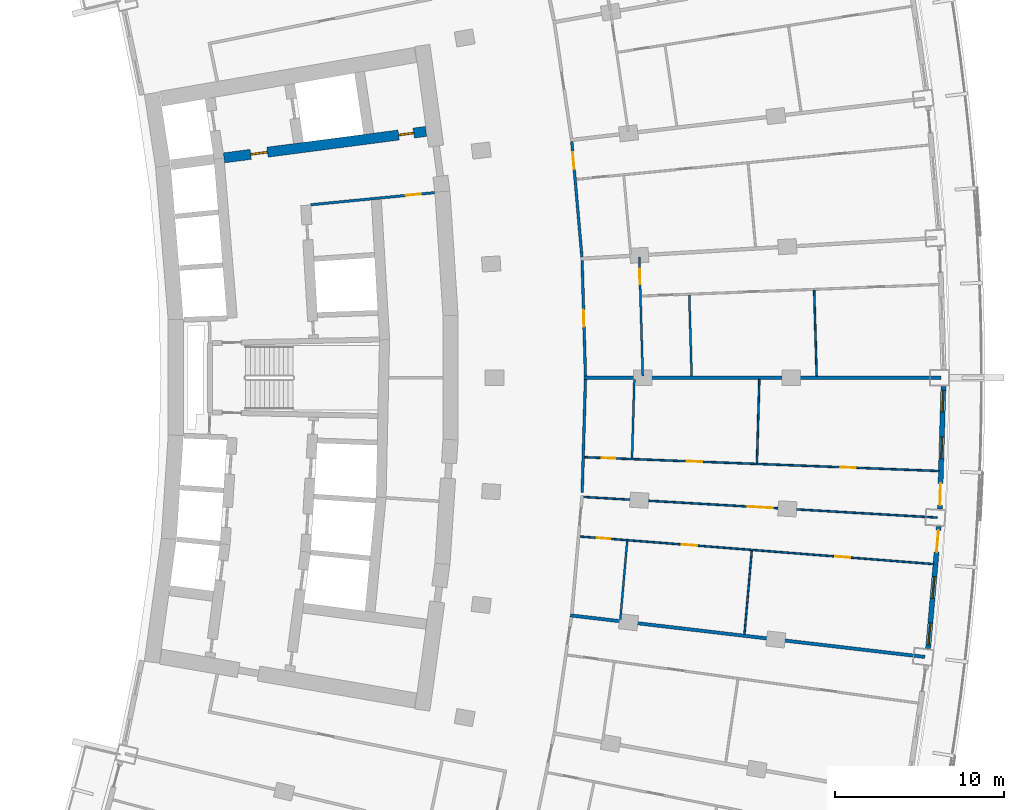
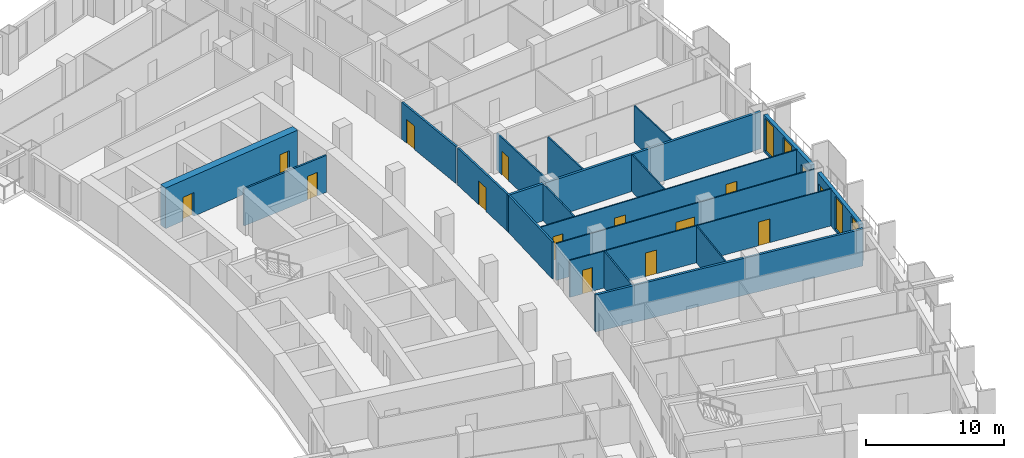
# One storey, part 15 of 23: 19 walls, 15 doors, 4 windows, 19 openings.
"""IFC4 building model written with IfcOpenShell, lengths in metres."""

from ifc_helpers import new_model, si_unit, direction, frame, frame_2d, origin, place, context, subcontext, project, spatial, rectangle, extrude, material, layer, layer_set, type_object, element, fill, save


model = new_model("IFC4")

# Units and contexts
model_context = context("Model", 3, precision=1e-05, world=origin(), true_north=direction((0.0, 1.0)))
body_context = subcontext(model_context, "Body", "Model", "MODEL_VIEW")
ifc_project = project(units=[si_unit("LENGTHUNIT", "METRE"), si_unit("AREAUNIT", "SQUARE_METRE"), si_unit("VOLUMEUNIT", "CUBIC_METRE"), si_unit("PLANEANGLEUNIT", "RADIAN"), si_unit("MASSUNIT", "GRAM", prefix="KILO")], contexts=[model_context])

# Site, building, storey
site_placement = place(None, origin())
site = spatial("IfcSite", under=ifc_project, at=site_placement, CompositionType="ELEMENT")
building_placement = place(site_placement, origin())
building = spatial("IfcBuilding", under=site, at=building_placement, Name="Alderwake Tower", CompositionType="ELEMENT")
storey_placement = place(building_placement, frame((0.0, 0.0, 71.60009765625)))
storey = spatial("IfcBuildingStorey", under=building, at=storey_placement, Name="L17", CompositionType="ELEMENT", Elevation=71.60009765625)

# Wall, opening, door
ifc_material_1 = material(Name="Gypsum shaft wall system, rated")
ifc_layer_1 = layer(ifc_material_1, 0.14990234375)
ifc_layer_set_1 = layer_set([ifc_layer_1], Name="Core room partition 150")
wall_type_1 = type_object("IfcWallType", Name="Core room partition 150", PredefinedType="PARTITIONING", material=ifc_layer_set_1)
wall_1_placement = place(storey_placement, frame((32.233642578125, 71.982177734375, 0.0), z_axis=(0.0, 0.0, 1.0), x_axis=(-0.995245540971, -0.097397706226, 0.0)))
wall_1 = element("IfcWall", 1, at=wall_1_placement, inside=storey, type_object=wall_type_1, Name="CW/L17/PR+102_+86", PredefinedType="PARTITIONING", context=body_context, shape_type="SweptSolid", body=[
    extrude(rectangle(XDim=7.36962890625, YDim=0.14990234375, at=frame_2d((3.684814453125, 0.0))), origin(), (0.0, 0.0, 1.0), 3.27978515625),
])
opening_1_placement = place(wall_1_placement, frame((0.819580078125, 0.0, 0.0)))
opening_1 = element("IfcOpeningElement", 2, at=opening_1_placement, cuts=wall_1, Name="Opening C032", PredefinedType="OPENING", context=body_context, shape_type="SweptSolid", body=[
    extrude(rectangle(XDim=0.89990234375, YDim=2.10009765625, at=frame_2d((0.449951171875, 1.050048828125))), frame((0.0, 0.0849609375, 0.0), z_axis=(0.0, -1.0, 0.0), x_axis=(1.0, 0.0, 0.0)), (0.0, 0.0, 1.0), 0.169921875),
])
ifc_material_2 = material(Name="Painted steel leaf", Category="steel")
door_type_1 = type_object("IfcDoorType", Name="Core room door 900", OperationType="SINGLE_SWING_LEFT", PredefinedType="DOOR", material=ifc_material_2)
door_1_placement = place(opening_1_placement, origin())
door_1 = element("IfcDoor", 3, at=door_1_placement, inside=storey, type_object=door_type_1, Name="Room door", OperationType="SINGLE_SWING_RIGHT", OverallHeight=2.10009765625, OverallWidth=0.89990234375, PredefinedType="DOOR", context=body_context, shape_type="SweptSolid", body=[
    extrude(rectangle(XDim=0.89990234375, YDim=2.10009765625, at=frame_2d((0.449951171875, 1.050048828125))), frame((0.0, 0.02490234375, 0.0), z_axis=(0.0, -1.0, 0.0), x_axis=(1.0, 0.0, 0.0)), (0.0, 0.0, 1.0), 0.050048828125),
])
fill(opening_1, door_1)

# Wall, openings, doors
ifc_material_3 = material(Name="Concrete C70/85", Category="concrete")
ifc_layer_2 = layer(ifc_material_3, 0.60009765625)
ifc_layer_set_2 = layer_set([ifc_layer_2], Name="Core wall spine 600 C70-85")
wall_type_2 = type_object("IfcWallType", Name="Core wall spine 600 C70-85", PredefinedType="SHEAR", material=ifc_layer_set_2)
wall_2_placement = place(storey_placement, frame((31.735595703125, 75.6142578125, 0.0), z_axis=(0.0, 0.0, 1.0), x_axis=(-0.991553829991, -0.129695806526, 0.0)))
wall_2 = element("IfcWall", 4, at=wall_2_placement, inside=storey, type_object=wall_type_2, Name="Core wall CW.052", PredefinedType="SHEAR", context=body_context, shape_type="SweptSolid", body=[
    extrude(rectangle(XDim=12.0869140625, YDim=0.60009765625, at=frame_2d((6.04345703125, 0.0))), origin(), (0.0, 0.0, 1.0), 3.599853515625),
])
opening_2_placement = place(wall_2_placement, frame((9.4873046875, 0.0, 0.0)))
opening_2 = element("IfcOpeningElement", 5, at=opening_2_placement, cuts=wall_2, Name="Opening C002", PredefinedType="OPENING", context=body_context, shape_type="SweptSolid", body=[
    extrude(rectangle(XDim=1.0, YDim=2.10009765625, at=frame_2d((0.5, 1.050048828125))), frame((0.0, 0.31005859375, 0.0), z_axis=(0.0, -1.0, 0.0), x_axis=(1.0, 0.0, 0.0)), (0.0, 0.0, 1.0), 0.6201171875),
])
opening_3_placement = place(wall_2_placement, frame((0.7373046875, 0.0, 0.0)))
opening_3 = element("IfcOpeningElement", 6, at=opening_3_placement, cuts=wall_2, Name="Opening C020", PredefinedType="OPENING", context=body_context, shape_type="SweptSolid", body=[
    extrude(rectangle(XDim=0.89990234375, YDim=2.10009765625, at=frame_2d((0.449951171875, 1.050048828125))), frame((0.0, 0.31005859375, 0.0), z_axis=(0.0, -1.0, 0.0), x_axis=(1.0, 0.0, 0.0)), (0.0, 0.0, 1.0), 0.6201171875),
])
door_2_placement = place(opening_3_placement, origin())
door_2 = element("IfcDoor", 7, at=door_2_placement, inside=storey, type_object=door_type_1, Name="Room door", OperationType="SINGLE_SWING_LEFT", OverallHeight=2.10009765625, OverallWidth=0.89990234375, PredefinedType="DOOR", context=body_context, shape_type="SweptSolid", body=[
    extrude(rectangle(XDim=0.89990234375, YDim=2.10009765625, at=frame_2d((0.449951171875, 1.050048828125))), frame((0.0, 0.050048828125, 0.0), z_axis=(0.0, -1.0, 0.0), x_axis=(1.0, 0.0, 0.0)), (0.0, 0.0, 1.0), 0.10009765625),
])
fill(opening_3, door_2)
ifc_material_4 = material(Name="Steel-framed fire door leaf", Category="steel")
door_type_2 = type_object("IfcDoorType", Name="Firefighting lobby door 1000 fire-rated", OperationType="SINGLE_SWING_LEFT", PredefinedType="DOOR", material=ifc_material_4)
door_3_placement = place(opening_2_placement, origin())
door_3 = element("IfcDoor", 8, at=door_3_placement, inside=storey, type_object=door_type_2, Name="Firefighting lobby door", OperationType="SINGLE_SWING_RIGHT", OverallHeight=2.10009765625, OverallWidth=1.0, PredefinedType="DOOR", context=body_context, shape_type="SweptSolid", body=[
    extrude(rectangle(XDim=1.0, YDim=2.10009765625, at=frame_2d((0.5, 1.050048828125))), frame((0.0, 0.050048828125, 0.0), z_axis=(0.0, -1.0, 0.0), x_axis=(1.0, 0.0, 0.0)), (0.0, 0.0, 1.0), 0.10009765625),
])
fill(opening_2, door_3)

# Wall
ifc_material_5 = material(Name="Gypsum board on metal studs, rated")
ifc_layer_3 = layer(ifc_material_5, 0.159912109375)
ifc_layer_set_3 = layer_set([ifc_layer_3], Name="Corridor wall 160")
wall_type_3 = type_object("IfcWallType", Name="Corridor wall 160", PredefinedType="PARTITIONING", material=ifc_layer_set_3)
wall_3_placement = place(storey_placement, frame((41.002685546875, 54.20068359375, 0.0), z_axis=(0.0, 0.0, 1.0), x_axis=(0.028855161601, 0.999583603131, 0.0)))
element("IfcWall", 9, at=wall_3_placement, inside=storey, type_object=wall_type_3, Name="WL/L17/W40", PredefinedType="PARTITIONING", context=body_context, shape_type="SweptSolid", body=[
    extrude(rectangle(XDim=6.700927734375, YDim=0.159912109375, at=frame_2d((3.3505859375, 0.0))), origin(), (0.0, 0.0, 1.0), 3.27978515625),
])

# Wall, opening, door
wall_4_placement = place(storey_placement, frame((40.3857421875, 75.00830078125, 0.0), z_axis=(0.0, 0.0, 1.0), x_axis=(0.087448731147, -0.996169021512, 0.0)))
wall_4 = element("IfcWall", 10, at=wall_4_placement, inside=storey, type_object=wall_type_3, Name="WL/L17/W41", PredefinedType="PARTITIONING", context=body_context, shape_type="SweptSolid", body=[
    extrude(rectangle(XDim=6.867919921875, YDim=0.159912109375, at=frame_2d((3.43408203125, 0.0))), origin(), (0.0, 0.0, 1.0), 3.27978515625),
])
opening_4_placement = place(wall_4_placement, frame((0.628173828125, 0.0, 0.0)))
opening_4 = element("IfcOpeningElement", 11, at=opening_4_placement, cuts=wall_4, Name="Opening R04-U09.2", PredefinedType="OPENING", context=body_context, shape_type="SweptSolid", body=[
    extrude(rectangle(XDim=1.0, YDim=2.10009765625, at=frame_2d((0.5, 1.050048828125))), frame((0.0, 0.08984375, 0.0), z_axis=(0.0, -1.0, 0.0), x_axis=(1.0, 0.0, 0.0)), (0.0, 0.0, 1.0), 0.179931640625),
])
ifc_material_6 = material(Name="Solid timber leaf in steel frame", Category="steel")
door_type_3 = type_object("IfcDoorType", Name="Flat entrance door 1000 fire-rated", OperationType="SINGLE_SWING_LEFT", PredefinedType="DOOR", material=ifc_material_6)
door_4_placement = place(opening_4_placement, origin())
door_4 = element("IfcDoor", 12, at=door_4_placement, inside=storey, type_object=door_type_3, Name="DR/L17/U09.2", OperationType="SINGLE_SWING_LEFT", OverallHeight=2.10009765625, OverallWidth=1.0, PredefinedType="DOOR", context=body_context, shape_type="SweptSolid", body=[
    extrude(rectangle(XDim=1.0, YDim=2.10009765625, at=frame_2d((0.5, 1.050048828125))), frame((0.0, 0.02490234375, 0.0), z_axis=(0.0, -1.0, 0.0), x_axis=(1.0, 0.0, 0.0)), (0.0, 0.0, 1.0), 0.050048828125),
])
fill(opening_4, door_4)

wall_5_placement = place(storey_placement, frame((40.997802734375, 67.967041015625, 0.0), z_axis=(0.0, 0.0, 1.0), x_axis=(0.028852935833, -0.99958366738, 0.0)))
wall_5 = element("IfcWall", 13, at=wall_5_placement, inside=storey, type_object=wall_type_3, Name="WL/L17/W42", PredefinedType="PARTITIONING", context=body_context, shape_type="SweptSolid", body=[
    extrude(rectangle(XDim=6.870849609375, YDim=0.159912109375, at=frame_2d((3.435546875, 0.0))), origin(), (0.0, 0.0, 1.0), 3.27978515625),
])
opening_5_placement = place(wall_5_placement, frame((2.935302734375, 0.0, 0.0)))
opening_5 = element("IfcOpeningElement", 14, at=opening_5_placement, cuts=wall_5, Name="Opening R04-U08.2", PredefinedType="OPENING", context=body_context, shape_type="SweptSolid", body=[
    extrude(rectangle(XDim=1.0, YDim=2.10009765625, at=frame_2d((0.5, 1.050048828125))), frame((0.0, 0.08984375, 0.0), z_axis=(0.0, -1.0, 0.0), x_axis=(1.0, 0.0, 0.0)), (0.0, 0.0, 1.0), 0.179931640625),
])
door_5_placement = place(opening_5_placement, origin())
door_5 = element("IfcDoor", 15, at=door_5_placement, inside=storey, type_object=door_type_3, Name="DR/L17/U08.2", OperationType="SINGLE_SWING_LEFT", OverallHeight=2.10009765625, OverallWidth=1.0, PredefinedType="DOOR", context=body_context, shape_type="SweptSolid", body=[
    extrude(rectangle(XDim=1.0, YDim=2.10009765625, at=frame_2d((0.5, 1.050048828125))), frame((0.0, 0.02490234375, 0.0), z_axis=(0.0, -1.0, 0.0), x_axis=(1.0, 0.0, 0.0)), (0.0, 0.0, 1.0), 0.050048828125),
])
fill(opening_5, door_5)

# Wall, openings, door, windows
ifc_material_7 = material(Name="Precast concrete C50/60 spandrel panel", Category="concrete")
ifc_layer_4 = layer(ifc_material_7, 0.300048828125)
ifc_layer_set_4 = layer_set([ifc_layer_4], Name="External wall EW1 Precast concrete C50/60 spandrel")
wall_type_4 = type_object("IfcWallType", Name="External wall EW1 Precast concrete C50/60 spandrel", PredefinedType="SOLIDWALL", material=ifc_layer_set_4)
wall_6_placement = place(storey_placement, frame((61.527587890625, 44.941162109375, 0.0), z_axis=(0.0, 0.0, 1.0), x_axis=(0.087375550333, 0.996175442984, 0.0)))
wall_6 = element("IfcWall", 16, at=wall_6_placement, inside=storey, type_object=wall_type_4, Name="External wall 15", PredefinedType="SOLIDWALL", context=body_context, shape_type="SweptSolid", body=[
    extrude(rectangle(XDim=7.25927734375, YDim=0.300048828125, at=frame_2d((3.629638671875, 0.0))), origin(), (0.0, 0.0, 1.0), 3.27978515625),
])
opening_6_placement = place(wall_6_placement, frame((0.215087890625, 0.0, 0.199951171875)))
opening_6 = element("IfcOpeningElement", 17, at=opening_6_placement, cuts=wall_6, Name="Opening W1", PredefinedType="OPENING", context=body_context, shape_type="SweptSolid", body=[
    extrude(rectangle(XDim=1.300048828125, YDim=2.89990234375, at=frame_2d((0.64990234375, 1.449951171875))), frame((0.0, 0.159912109375, 0.0), z_axis=(0.0, -1.0, 0.0), x_axis=(1.0, 0.0, 0.0)), (0.0, 0.0, 1.0), 0.320068359375),
])
opening_7_placement = place(wall_6_placement, frame((2.9794921875, 0.0, 0.199951171875)))
opening_7 = element("IfcOpeningElement", 18, at=opening_7_placement, cuts=wall_6, Name="Opening W1", PredefinedType="OPENING", context=body_context, shape_type="SweptSolid", body=[
    extrude(rectangle(XDim=1.300048828125, YDim=2.89990234375, at=frame_2d((0.64990234375, 1.449951171875))), frame((0.0, 0.159912109375, 0.0), z_axis=(0.0, -1.0, 0.0), x_axis=(1.0, 0.0, 0.0)), (0.0, 0.0, 1.0), 0.320068359375),
])
opening_8_placement = place(wall_6_placement, frame((5.744140625, 0.0, 0.0)))
opening_8 = element("IfcOpeningElement", 19, at=opening_8_placement, cuts=wall_6, Name="Opening D06", PredefinedType="OPENING", context=body_context, shape_type="SweptSolid", body=[
    extrude(rectangle(XDim=1.300048828125, YDim=2.39990234375, at=frame_2d((0.64990234375, 1.199951171875))), frame((0.0, 0.159912109375, 0.0), z_axis=(0.0, -1.0, 0.0), x_axis=(1.0, 0.0, 0.0)), (0.0, 0.0, 1.0), 0.320068359375),
])
ifc_material_8 = material(Name="Bronze tinted glass in aluminium frame", Category="aluminium")
door_type_4 = type_object("IfcDoorType", Name="Balcony door BD sliding", OperationType="SLIDING_TO_LEFT", PredefinedType="DOOR", material=ifc_material_8)
door_6_placement = place(opening_8_placement, origin())
door_6 = element("IfcDoor", 20, at=door_6_placement, inside=storey, type_object=door_type_4, Name="Door D06", OperationType="SLIDING_TO_LEFT", OverallHeight=2.39990234375, OverallWidth=1.300048828125, PredefinedType="DOOR", context=body_context, shape_type="SweptSolid", body=[
    extrude(rectangle(XDim=1.300048828125, YDim=2.39990234375, at=frame_2d((0.64990234375, 1.199951171875))), frame((0.0, 0.02490234375, 0.0), z_axis=(0.0, -1.0, 0.0), x_axis=(1.0, 0.0, 0.0)), (0.0, 0.0, 1.0), 0.050048828125),
])
fill(opening_8, door_6)
ifc_material_9 = material(Name="Bronze tinted glass in aluminium frame", Category="aluminium")
window_type = type_object("IfcWindowType", Name="Window W1 tall fixed and vent", PartitioningType="DOUBLE_PANEL_VERTICAL", PredefinedType="WINDOW", material=ifc_material_9)
window_1_placement = place(opening_6_placement, origin())
window_1 = element("IfcWindow", 21, at=window_1_placement, inside=storey, type_object=window_type, Name="Window W1 tall fixed and vent", OverallHeight=2.89990234375, OverallWidth=1.300048828125, PartitioningType="DOUBLE_PANEL_VERTICAL", PredefinedType="WINDOW", context=body_context, shape_type="SweptSolid", body=[
    extrude(rectangle(XDim=1.300048828125, YDim=2.89990234375, at=frame_2d((0.64990234375, 1.449951171875))), frame((0.0, 0.030029296875, 0.0), z_axis=(0.0, -1.0, 0.0), x_axis=(1.0, 0.0, 0.0)), (0.0, 0.0, 1.0), 0.06005859375),
])
fill(opening_6, window_1)
window_2_placement = place(opening_7_placement, origin())
window_2 = element("IfcWindow", 22, at=window_2_placement, inside=storey, type_object=window_type, Name="Window W1 tall fixed and vent", OverallHeight=2.89990234375, OverallWidth=1.300048828125, PartitioningType="DOUBLE_PANEL_VERTICAL", PredefinedType="WINDOW", context=body_context, shape_type="SweptSolid", body=[
    extrude(rectangle(XDim=1.300048828125, YDim=2.89990234375, at=frame_2d((0.64990234375, 1.449951171875))), frame((0.0, 0.030029296875, 0.0), z_axis=(0.0, -1.0, 0.0), x_axis=(1.0, 0.0, 0.0)), (0.0, 0.0, 1.0), 0.06005859375),
])
fill(opening_7, window_2)

wall_7_placement = place(storey_placement, frame((62.222900390625, 53.219482421875, 0.0), z_axis=(0.0, 0.0, 1.0), x_axis=(0.029192492368, 0.999573808375, 0.0)))
wall_7 = element("IfcWall", 23, at=wall_7_placement, inside=storey, type_object=wall_type_4, Name="External wall 16", PredefinedType="SOLIDWALL", context=body_context, shape_type="SweptSolid", body=[
    extrude(rectangle(XDim=7.25927734375, YDim=0.300048828125, at=frame_2d((3.629638671875, 0.0))), origin(), (0.0, 0.0, 1.0), 3.27978515625),
])
opening_9_placement = place(wall_7_placement, frame((0.215087890625, 0.0, 0.0)))
opening_9 = element("IfcOpeningElement", 24, at=opening_9_placement, cuts=wall_7, Name="Opening D07", PredefinedType="OPENING", context=body_context, shape_type="SweptSolid", body=[
    extrude(rectangle(XDim=1.300048828125, YDim=2.39990234375, at=frame_2d((0.64990234375, 1.199951171875))), frame((0.0, 0.159912109375, 0.0), z_axis=(0.0, -1.0, 0.0), x_axis=(1.0, 0.0, 0.0)), (0.0, 0.0, 1.0), 0.320068359375),
])
opening_10_placement = place(wall_7_placement, frame((2.9794921875, 0.0, 0.199951171875)))
opening_10 = element("IfcOpeningElement", 25, at=opening_10_placement, cuts=wall_7, Name="Opening W1", PredefinedType="OPENING", context=body_context, shape_type="SweptSolid", body=[
    extrude(rectangle(XDim=1.300048828125, YDim=2.89990234375, at=frame_2d((0.64990234375, 1.449951171875))), frame((0.0, 0.159912109375, 0.0), z_axis=(0.0, -1.0, 0.0), x_axis=(1.0, 0.0, 0.0)), (0.0, 0.0, 1.0), 0.320068359375),
])
opening_11_placement = place(wall_7_placement, frame((5.744140625, 0.0, 0.199951171875)))
opening_11 = element("IfcOpeningElement", 26, at=opening_11_placement, cuts=wall_7, Name="Opening W1", PredefinedType="OPENING", context=body_context, shape_type="SweptSolid", body=[
    extrude(rectangle(XDim=1.300048828125, YDim=2.89990234375, at=frame_2d((0.64990234375, 1.449951171875))), frame((0.0, 0.159912109375, 0.0), z_axis=(0.0, -1.0, 0.0), x_axis=(1.0, 0.0, 0.0)), (0.0, 0.0, 1.0), 0.320068359375),
])
door_7_placement = place(opening_9_placement, origin())
door_7 = element("IfcDoor", 27, at=door_7_placement, inside=storey, type_object=door_type_4, Name="Door D07", OperationType="SLIDING_TO_LEFT", OverallHeight=2.39990234375, OverallWidth=1.300048828125, PredefinedType="DOOR", context=body_context, shape_type="SweptSolid", body=[
    extrude(rectangle(XDim=1.300048828125, YDim=2.39990234375, at=frame_2d((0.64990234375, 1.199951171875))), frame((0.0, 0.02490234375, 0.0), z_axis=(0.0, -1.0, 0.0), x_axis=(1.0, 0.0, 0.0)), (0.0, 0.0, 1.0), 0.050048828125),
])
fill(opening_9, door_7)
window_3_placement = place(opening_10_placement, origin())
window_3 = element("IfcWindow", 28, at=window_3_placement, inside=storey, type_object=window_type, Name="Window W1 tall fixed and vent", OverallHeight=2.89990234375, OverallWidth=1.300048828125, PartitioningType="DOUBLE_PANEL_VERTICAL", PredefinedType="WINDOW", context=body_context, shape_type="SweptSolid", body=[
    extrude(rectangle(XDim=1.300048828125, YDim=2.89990234375, at=frame_2d((0.64990234375, 1.449951171875))), frame((0.0, 0.030029296875, 0.0), z_axis=(0.0, -1.0, 0.0), x_axis=(1.0, 0.0, 0.0)), (0.0, 0.0, 1.0), 0.06005859375),
])
fill(opening_10, window_3)
window_4_placement = place(opening_11_placement, origin())
window_4 = element("IfcWindow", 29, at=window_4_placement, inside=storey, type_object=window_type, Name="Window W1 tall fixed and vent", OverallHeight=2.89990234375, OverallWidth=1.300048828125, PartitioningType="DOUBLE_PANEL_VERTICAL", PredefinedType="WINDOW", context=body_context, shape_type="SweptSolid", body=[
    extrude(rectangle(XDim=1.300048828125, YDim=2.89990234375, at=frame_2d((0.64990234375, 1.449951171875))), frame((0.0, 0.030029296875, 0.0), z_axis=(0.0, -1.0, 0.0), x_axis=(1.0, 0.0, 0.0)), (0.0, 0.0, 1.0), 0.06005859375),
])
fill(opening_11, window_4)

# Walls
ifc_material_10 = material(Name="Dense block masonry wall", Category="masonry")
ifc_layer_5 = layer(ifc_material_10, 0.199951171875)
ifc_layer_set_5 = layer_set([ifc_layer_5], Name="Party wall 200")
wall_type_5 = type_object("IfcWallType", Name="Party wall 200", PredefinedType="SOLIDWALL", material=ifc_layer_set_5)
wall_8_placement = place(storey_placement, frame((61.33203125, 44.43603515625, 0.0), z_axis=(0.0, 0.0, 1.0), x_axis=(-0.993196167424, 0.116453308301, 0.0)))
element("IfcWall", 30, at=wall_8_placement, inside=storey, type_object=wall_type_5, Name="WL/L17/W12", PredefinedType="SOLIDWALL", context=body_context, shape_type="SweptSolid", body=[
    extrude(rectangle(XDim=21.178466796875, YDim=0.199951171875, at=frame_2d((10.58935546875, 0.0))), origin(), (0.0, 0.0, 1.0), 3.27978515625),
])
wall_9_placement = place(storey_placement, frame((62.301025390625, 60.9990234375, 0.0), z_axis=(0.0, 0.0, 1.0), x_axis=(-1.0, 0.0, 0.0)))
element("IfcWall", 31, at=wall_9_placement, inside=storey, type_object=wall_type_5, Name="WL/L17/W14", PredefinedType="SOLIDWALL", context=body_context, shape_type="SweptSolid", body=[
    extrude(rectangle(XDim=21.18212890625, YDim=0.199951171875, at=frame_2d((10.591064453125, 0.0))), origin(), (0.0, 0.0, 1.0), 3.27978515625),
])

# Wall, openings, doors
ifc_material_11 = material(Name="Gypsum board on metal studs")
ifc_layer_6 = layer(ifc_material_11, 0.10009765625)
ifc_layer_set_6 = layer_set([ifc_layer_6], Name="Unit partition 100")
wall_type_6 = type_object("IfcWallType", Name="Unit partition 100", PredefinedType="PARTITIONING", material=ifc_layer_set_6)
wall_10_placement = place(storey_placement, frame((61.865966796875, 49.944091796875, 0.0), z_axis=(0.0, 0.0, 1.0), x_axis=(-0.996972371394, 0.077756611796, 0.0)))
wall_10 = element("IfcWall", 32, at=wall_10_placement, inside=storey, type_object=wall_type_6, Name="WL/L17/W73", PredefinedType="PARTITIONING", context=body_context, shape_type="SweptSolid", body=[
    extrude(rectangle(XDim=21.061767578125, YDim=0.10009765625, at=frame_2d((10.53076171875, 0.0))), origin(), (0.0, 0.0, 1.0), 3.27978515625),
])
opening_12_placement = place(wall_10_placement, frame((14.086181640625, 0.0, 0.0)))
opening_12 = element("IfcOpeningElement", 33, at=opening_12_placement, cuts=wall_10, Name="Opening R04-U07.1", PredefinedType="OPENING", context=body_context, shape_type="SweptSolid", body=[
    extrude(rectangle(XDim=0.89990234375, YDim=2.10009765625, at=frame_2d((0.449951171875, 1.050048828125))), frame((0.0, 0.06005859375, 0.0), z_axis=(0.0, -1.0, 0.0), x_axis=(1.0, 0.0, 0.0)), (0.0, 0.0, 1.0), 0.1201171875),
])
opening_13_placement = place(wall_10_placement, frame((19.25244140625, 0.0, 0.0)))
opening_13 = element("IfcOpeningElement", 34, at=opening_13_placement, cuts=wall_10, Name="Opening R04-U07.3", PredefinedType="OPENING", context=body_context, shape_type="SweptSolid", body=[
    extrude(rectangle(XDim=0.800048828125, YDim=2.10009765625, at=frame_2d((0.39990234375, 1.050048828125))), frame((0.0, 0.06005859375, 0.0), z_axis=(0.0, -1.0, 0.0), x_axis=(1.0, 0.0, 0.0)), (0.0, 0.0, 1.0), 0.1201171875),
])
opening_14_placement = place(wall_10_placement, frame((4.964599609375, 0.0, 0.0)))
opening_14 = element("IfcOpeningElement", 35, at=opening_14_placement, cuts=wall_10, Name="Opening R04-U07.4", PredefinedType="OPENING", context=body_context, shape_type="SweptSolid", body=[
    extrude(rectangle(XDim=0.89990234375, YDim=2.10009765625, at=frame_2d((0.449951171875, 1.050048828125))), frame((0.0, 0.06005859375, 0.0), z_axis=(0.0, -1.0, 0.0), x_axis=(1.0, 0.0, 0.0)), (0.0, 0.0, 1.0), 0.1201171875),
])
ifc_material_12 = material(Name="Painted timber leaf", Category="wood")
door_type_5 = type_object("IfcDoorType", Name="Bathroom door 800", OperationType="SINGLE_SWING_LEFT", PredefinedType="DOOR", material=ifc_material_12)
door_8_placement = place(opening_13_placement, origin())
door_8 = element("IfcDoor", 36, at=door_8_placement, inside=storey, type_object=door_type_5, Name="DR/L17/U07.3", OperationType="SINGLE_SWING_LEFT", OverallHeight=2.10009765625, OverallWidth=0.800048828125, PredefinedType="DOOR", context=body_context, shape_type="SweptSolid", body=[
    extrude(rectangle(XDim=0.800048828125, YDim=2.10009765625, at=frame_2d((0.39990234375, 1.050048828125))), frame((0.0, 0.02490234375, 0.0), z_axis=(0.0, -1.0, 0.0), x_axis=(1.0, 0.0, 0.0)), (0.0, 0.0, 1.0), 0.050048828125),
])
fill(opening_13, door_8)
ifc_material_13 = material(Name="Painted timber leaf", Category="wood")
door_type_6 = type_object("IfcDoorType", Name="Room door 900", OperationType="SINGLE_SWING_LEFT", PredefinedType="DOOR", material=ifc_material_13)
door_9_placement = place(opening_12_placement, origin())
door_9 = element("IfcDoor", 37, at=door_9_placement, inside=storey, type_object=door_type_6, Name="DR/L17/U07.1", OperationType="SINGLE_SWING_LEFT", OverallHeight=2.10009765625, OverallWidth=0.89990234375, PredefinedType="DOOR", context=body_context, shape_type="SweptSolid", body=[
    extrude(rectangle(XDim=0.89990234375, YDim=2.10009765625, at=frame_2d((0.449951171875, 1.050048828125))), frame((0.0, 0.02490234375, 0.0), z_axis=(0.0, -1.0, 0.0), x_axis=(1.0, 0.0, 0.0)), (0.0, 0.0, 1.0), 0.050048828125),
])
fill(opening_12, door_9)
door_10_placement = place(opening_14_placement, origin())
door_10 = element("IfcDoor", 38, at=door_10_placement, inside=storey, type_object=door_type_6, Name="DR/L17/U07.4", OperationType="SINGLE_SWING_LEFT", OverallHeight=2.10009765625, OverallWidth=0.89990234375, PredefinedType="DOOR", context=body_context, shape_type="SweptSolid", body=[
    extrude(rectangle(XDim=0.89990234375, YDim=2.10009765625, at=frame_2d((0.449951171875, 1.050048828125))), frame((0.0, 0.02490234375, 0.0), z_axis=(0.0, -1.0, 0.0), x_axis=(1.0, 0.0, 0.0)), (0.0, 0.0, 1.0), 0.050048828125),
])
fill(opening_14, door_10)

wall_11_placement = place(storey_placement, frame((41.143798828125, 56.285888671875, 0.0), z_axis=(0.0, 0.0, 1.0), x_axis=(0.999243970952, -0.038877840944, 0.0)))
wall_11 = element("IfcWall", 39, at=wall_11_placement, inside=storey, type_object=wall_type_6, Name="WL/L17/W74", PredefinedType="PARTITIONING", context=body_context, shape_type="SweptSolid", body=[
    extrude(rectangle(XDim=21.06201171875, YDim=0.10009765625, at=frame_2d((10.531005859375, 0.0))), origin(), (0.0, 0.0, 1.0), 3.27978515625),
])
opening_15_placement = place(wall_11_placement, frame((6.074462890625, 0.0, 0.0)))
opening_15 = element("IfcOpeningElement", 40, at=opening_15_placement, cuts=wall_11, Name="Opening R04-U07.5", PredefinedType="OPENING", context=body_context, shape_type="SweptSolid", body=[
    extrude(rectangle(XDim=0.89990234375, YDim=2.10009765625, at=frame_2d((0.449951171875, 1.050048828125))), frame((0.0, 0.06005859375, 0.0), z_axis=(0.0, -1.0, 0.0), x_axis=(1.0, 0.0, 0.0)), (0.0, 0.0, 1.0), 0.1201171875),
])
opening_16_placement = place(wall_11_placement, frame((1.0087890625, 0.0, 0.0)))
opening_16 = element("IfcOpeningElement", 41, at=opening_16_placement, cuts=wall_11, Name="Opening R04-U07.6", PredefinedType="OPENING", context=body_context, shape_type="SweptSolid", body=[
    extrude(rectangle(XDim=0.800048828125, YDim=2.10009765625, at=frame_2d((0.39990234375, 1.050048828125))), frame((0.0, 0.06005859375, 0.0), z_axis=(0.0, -1.0, 0.0), x_axis=(1.0, 0.0, 0.0)), (0.0, 0.0, 1.0), 0.1201171875),
])
opening_17_placement = place(wall_11_placement, frame((15.196044921875, 0.0, 0.0)))
opening_17 = element("IfcOpeningElement", 42, at=opening_17_placement, cuts=wall_11, Name="Opening R04-U07.7", PredefinedType="OPENING", context=body_context, shape_type="SweptSolid", body=[
    extrude(rectangle(XDim=0.89990234375, YDim=2.10009765625, at=frame_2d((0.449951171875, 1.050048828125))), frame((0.0, 0.06005859375, 0.0), z_axis=(0.0, -1.0, 0.0), x_axis=(1.0, 0.0, 0.0)), (0.0, 0.0, 1.0), 0.1201171875),
])
door_11_placement = place(opening_16_placement, origin())
door_11 = element("IfcDoor", 43, at=door_11_placement, inside=storey, type_object=door_type_5, Name="DR/L17/U07.6", OperationType="SINGLE_SWING_LEFT", OverallHeight=2.10009765625, OverallWidth=0.800048828125, PredefinedType="DOOR", context=body_context, shape_type="SweptSolid", body=[
    extrude(rectangle(XDim=0.800048828125, YDim=2.10009765625, at=frame_2d((0.39990234375, 1.050048828125))), frame((0.0, 0.02490234375, 0.0), z_axis=(0.0, -1.0, 0.0), x_axis=(1.0, 0.0, 0.0)), (0.0, 0.0, 1.0), 0.050048828125),
])
fill(opening_16, door_11)
door_12_placement = place(opening_15_placement, origin())
door_12 = element("IfcDoor", 44, at=door_12_placement, inside=storey, type_object=door_type_6, Name="DR/L17/U07.5", OperationType="SINGLE_SWING_LEFT", OverallHeight=2.10009765625, OverallWidth=0.89990234375, PredefinedType="DOOR", context=body_context, shape_type="SweptSolid", body=[
    extrude(rectangle(XDim=0.89990234375, YDim=2.10009765625, at=frame_2d((0.449951171875, 1.050048828125))), frame((0.0, 0.02490234375, 0.0), z_axis=(0.0, -1.0, 0.0), x_axis=(1.0, 0.0, 0.0)), (0.0, 0.0, 1.0), 0.050048828125),
])
fill(opening_15, door_12)
door_13_placement = place(opening_17_placement, origin())
door_13 = element("IfcDoor", 45, at=door_13_placement, inside=storey, type_object=door_type_6, Name="DR/L17/U07.7", OperationType="SINGLE_SWING_LEFT", OverallHeight=2.10009765625, OverallWidth=0.89990234375, PredefinedType="DOOR", context=body_context, shape_type="SweptSolid", body=[
    extrude(rectangle(XDim=0.89990234375, YDim=2.10009765625, at=frame_2d((0.449951171875, 1.050048828125))), frame((0.0, 0.02490234375, 0.0), z_axis=(0.0, -1.0, 0.0), x_axis=(1.0, 0.0, 0.0)), (0.0, 0.0, 1.0), 0.050048828125),
])
fill(opening_17, door_13)

# Walls
wall_12_placement = place(storey_placement, frame((50.630615234375, 45.789794921875, 0.0), z_axis=(0.0, 0.0, 1.0), x_axis=(0.087457395214, 0.996168260899, 0.0)))
element("IfcWall", 46, at=wall_12_placement, inside=storey, type_object=wall_type_6, Name="WL/L17/W83", PredefinedType="PARTITIONING", context=body_context, shape_type="SweptSolid", body=[
    extrude(rectangle(XDim=4.96337890625, YDim=0.10009765625, at=frame_2d((2.481689453125, 0.0))), origin(), (0.0, 0.0, 1.0), 3.27978515625),
])
wall_13_placement = place(storey_placement, frame((51.370361328125, 55.93701171875, 0.0), z_axis=(0.0, 0.0, 1.0), x_axis=(0.028771787727, 0.99958600642, 0.0)))
element("IfcWall", 47, at=wall_13_placement, inside=storey, type_object=wall_type_6, Name="WL/L17/W85", PredefinedType="PARTITIONING", context=body_context, shape_type="SweptSolid", body=[
    extrude(rectangle(XDim=4.9638671875, YDim=0.10009765625, at=frame_2d((2.48193359375, 0.0))), origin(), (0.0, 0.0, 1.0), 3.27978515625),
])
wall_14_placement = place(storey_placement, frame((54.9150390625, 61.09912109375, 0.0), z_axis=(0.0, 0.0, 1.0), x_axis=(-0.029127343926, 0.999575708906, 0.0)))
element("IfcWall", 48, at=wall_14_placement, inside=storey, type_object=wall_type_6, Name="WL/L17/W89", PredefinedType="PARTITIONING", context=body_context, shape_type="SweptSolid", body=[
    extrude(rectangle(XDim=5.09619140625, YDim=0.10009765625, at=frame_2d((2.548095703125, 0.0))), origin(), (0.0, 0.0, 1.0), 3.27978515625),
])

# Wall, opening, door
wall_15_placement = place(storey_placement, frame((41.074951171875, 53.92919921875, 0.0), z_axis=(0.0, 0.0, 1.0), x_axis=(0.998299951576, -0.058285561532, 0.0)))
wall_15 = element("IfcWall", 49, at=wall_15_placement, inside=storey, type_object=wall_type_6, Name="WL/L17/W90", PredefinedType="PARTITIONING", context=body_context, shape_type="SweptSolid", body=[
    extrude(rectangle(XDim=21.018798828125, YDim=0.10009765625, at=frame_2d((10.50927734375, 0.0))), origin(), (0.0, 0.0, 1.0), 3.27978515625),
])
opening_18_placement = place(wall_15_placement, frame((9.759521484375, 0.0, 0.0)))
opening_18 = element("IfcOpeningElement", 50, at=opening_18_placement, cuts=wall_15, Name="Opening R04-U07.8", PredefinedType="OPENING", context=body_context, shape_type="SweptSolid", body=[
    extrude(rectangle(XDim=1.5, YDim=2.10009765625, at=frame_2d((0.75, 1.050048828125))), frame((0.0, 0.06005859375, 0.0), z_axis=(0.0, -1.0, 0.0), x_axis=(1.0, 0.0, 0.0)), (0.0, 0.0, 1.0), 0.1201171875),
])
ifc_material_14 = material(Name="Painted timber leaves", Category="wood")
door_type_7 = type_object("IfcDoorType", Name="Double leaf door 1500", OperationType="DOUBLE_DOOR_SINGLE_SWING", PredefinedType="DOOR", material=ifc_material_14)
door_14_placement = place(opening_18_placement, origin())
door_14 = element("IfcDoor", 51, at=door_14_placement, inside=storey, type_object=door_type_7, Name="DR/L17/U07.8", OperationType="DOUBLE_DOOR_SINGLE_SWING", OverallHeight=2.10009765625, OverallWidth=1.5, PredefinedType="DOOR", context=body_context, shape_type="SweptSolid", body=[
    extrude(rectangle(XDim=1.5, YDim=2.10009765625, at=frame_2d((0.75, 1.050048828125))), frame((0.0, 0.02490234375, 0.0), z_axis=(0.0, -1.0, 0.0), x_axis=(1.0, 0.0, 0.0)), (0.0, 0.0, 1.0), 0.050048828125),
])
fill(opening_18, door_14)

# Walls
ifc_material_15 = material(Name="Moisture resistant gypsum board on metal studs")
ifc_layer_7 = layer(ifc_material_15, 0.1201171875)
ifc_layer_set_7 = layer_set([ifc_layer_7], Name="Wet room partition 120")
wall_type_7 = type_object("IfcWallType", Name="Wet room partition 120", PredefinedType="PARTITIONING", material=ifc_layer_set_7)
wall_16_placement = place(storey_placement, frame((43.265625, 46.65380859375, 0.0), z_axis=(0.0, 0.0, 1.0), x_axis=(0.087069112872, 0.996202273428, 0.0)))
element("IfcWall", 52, at=wall_16_placement, inside=storey, type_object=wall_type_7, Name="WL/L17/W58", PredefinedType="PARTITIONING", context=body_context, shape_type="SweptSolid", body=[
    extrude(rectangle(XDim=4.67431640625, YDim=0.1201171875, at=frame_2d((2.337158203125, 0.0))), origin(), (0.0, 0.0, 1.0), 3.27978515625),
])
wall_17_placement = place(storey_placement, frame((43.96044921875, 56.22802734375, 0.0), z_axis=(0.0, 0.0, 1.0), x_axis=(0.029257801765, 0.999571898883, 0.0)))
element("IfcWall", 53, at=wall_17_placement, inside=storey, type_object=wall_type_7, Name="WL/L17/W60", PredefinedType="PARTITIONING", context=body_context, shape_type="SweptSolid", body=[
    extrude(rectangle(XDim=4.6728515625, YDim=0.1201171875, at=frame_2d((2.33642578125, 0.0))), origin(), (0.0, 0.0, 1.0), 3.27978515625),
])

# Wall, opening, door
wall_18_placement = place(storey_placement, frame((44.390869140625, 68.1650390625, 0.0), z_axis=(0.0, 0.0, 1.0), x_axis=(0.029321917873, -0.999570020125, 0.0)))
wall_18 = element("IfcWall", 54, at=wall_18_placement, inside=storey, type_object=wall_type_7, Name="WL/L17/W61", PredefinedType="PARTITIONING", context=body_context, shape_type="SweptSolid", body=[
    extrude(rectangle(XDim=7.06884765625, YDim=0.1201171875, at=frame_2d((3.534423828125, 0.0))), origin(), (0.0, 0.0, 1.0), 3.27978515625),
])
opening_19_placement = place(wall_18_placement, frame((0.711669921875, 0.0, 0.0)))
opening_19 = element("IfcOpeningElement", 55, at=opening_19_placement, cuts=wall_18, Name="Opening R04-U08.3", PredefinedType="OPENING", context=body_context, shape_type="SweptSolid", body=[
    extrude(rectangle(XDim=0.89990234375, YDim=2.10009765625, at=frame_2d((0.449951171875, 1.050048828125))), frame((0.0, 0.070068359375, 0.0), z_axis=(0.0, -1.0, 0.0), x_axis=(1.0, 0.0, 0.0)), (0.0, 0.0, 1.0), 0.14013671875),
])
door_15_placement = place(opening_19_placement, origin())
door_15 = element("IfcDoor", 56, at=door_15_placement, inside=storey, type_object=door_type_6, Name="DR/L17/U08.3", OperationType="SINGLE_SWING_LEFT", OverallHeight=2.10009765625, OverallWidth=0.89990234375, PredefinedType="DOOR", context=body_context, shape_type="SweptSolid", body=[
    extrude(rectangle(XDim=0.89990234375, YDim=2.10009765625, at=frame_2d((0.449951171875, 1.050048828125))), frame((0.0, 0.02490234375, 0.0), z_axis=(0.0, -1.0, 0.0), x_axis=(1.0, 0.0, 0.0)), (0.0, 0.0, 1.0), 0.050048828125),
])
fill(opening_19, door_15)

# Wall
wall_19_placement = place(storey_placement, frame((47.49609375, 61.09912109375, 0.0), z_axis=(0.0, 0.0, 1.0), x_axis=(-0.029045398498, 0.99957809341, 0.0)))
element("IfcWall", 57, at=wall_19_placement, inside=storey, type_object=wall_type_7, Name="WL/L17/W66", PredefinedType="PARTITIONING", context=body_context, shape_type="SweptSolid", body=[
    extrude(rectangle(XDim=4.807861328125, YDim=0.1201171875, at=frame_2d((2.40380859375, 0.0))), origin(), (0.0, 0.0, 1.0), 3.27978515625),
])

save(model, "model.ifc")
